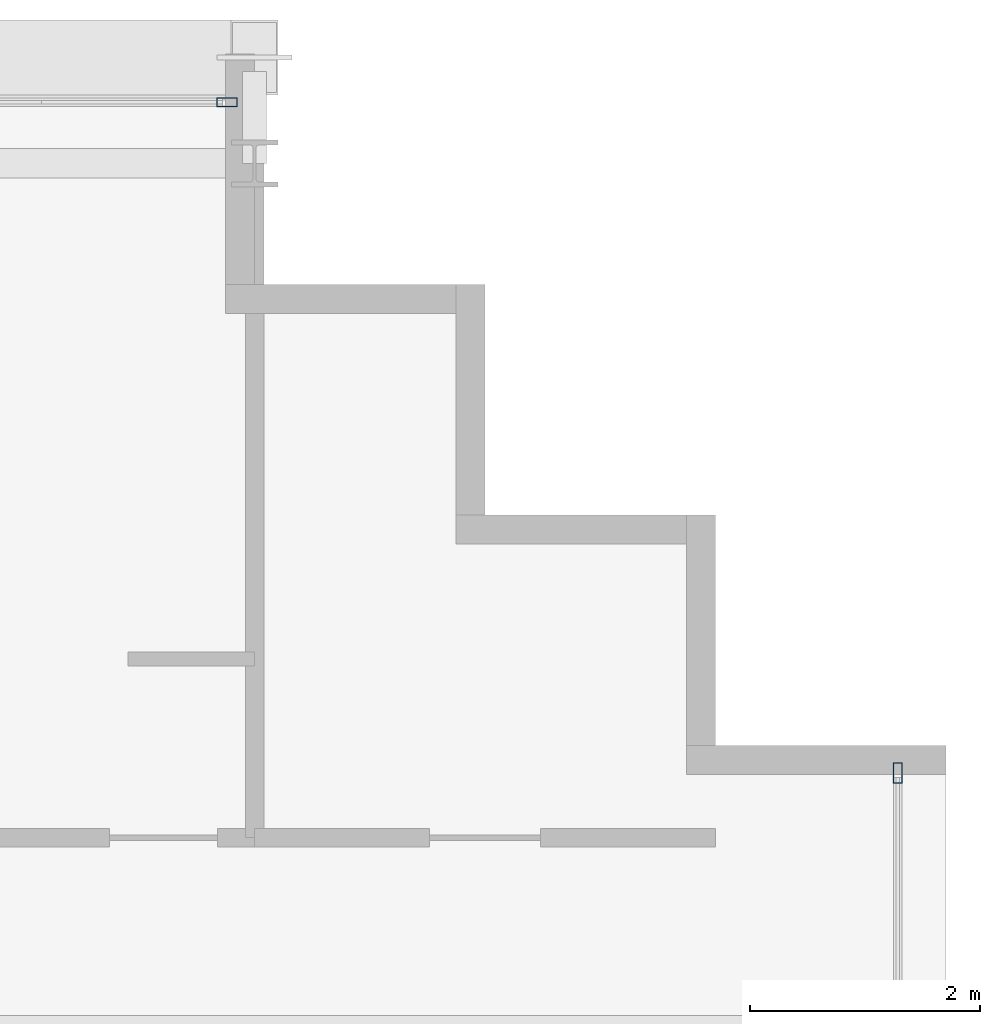
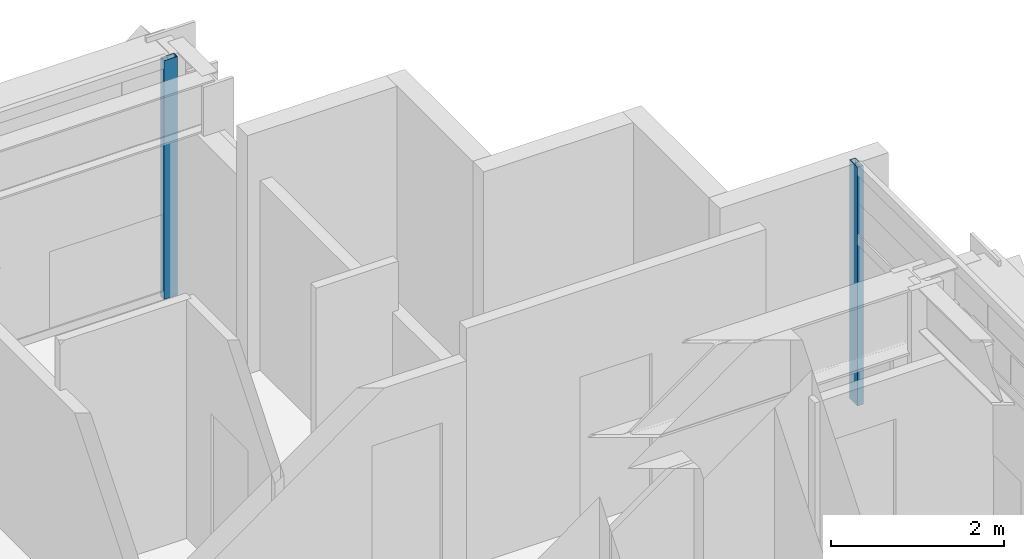
# One storey, part 19 of 32: 2 members, 2 elements without a shape of their own.
"""IFC4 building model written with IfcOpenShell, lengths in metres."""

from ifc_helpers import new_model, si_unit, direction, frame, origin, origin_2d, place, context, subcontext, project, spatial, hollow_rectangle, extrude, source, transform, mapped, material, layer, layer_set, material_profile, profile_set, type_object, element, aggregate, save


model = new_model("IFC4")

# Units and contexts
model_context = context("Model", 3, precision=1e-05, world=origin(), true_north=direction((0.0, 1.0)))
body_context = subcontext(model_context, "Body", "Model", "MODEL_VIEW")
ifc_project = project(units=[si_unit("LENGTHUNIT", "METRE"), si_unit("AREAUNIT", "SQUARE_METRE"), si_unit("VOLUMEUNIT", "CUBIC_METRE"), si_unit("PLANEANGLEUNIT", "RADIAN"), si_unit("MASSUNIT", "GRAM", prefix="KILO")], contexts=[model_context])

# Site, building, storey
site_placement = place(None, origin())
site = spatial("IfcSite", under=ifc_project, at=site_placement, CompositionType="ELEMENT")
building_placement = place(site_placement, origin())
building = spatial("IfcBuilding", under=site, at=building_placement, Name="Ocotamira Hotel", CompositionType="ELEMENT")
storey_placement = place(building_placement, frame((0.0, 0.0, 184.800048828125)))
storey = spatial("IfcBuildingStorey", under=building, at=storey_placement, Name="L46", CompositionType="ELEMENT", Elevation=184.800048828125)

# Curtain wall, member
ifc_material_1 = material(Name="Anodised pale-metal aluminium and solar glass", Category="aluminium")
ifc_layer = layer(ifc_material_1, 0.199951171875)
ifc_layer_set = layer_set([ifc_layer], Name="Anodised pale-metal aluminium and solar glass")
curtain_wall_type = type_object("IfcCurtainWallType", Name="CW-SYS4-Z3", PredefinedType="NOTDEFINED", material=ifc_layer_set)
curtain_wall_1_placement = place(storey_placement, origin())
curtain_wall_1 = element("IfcCurtainWall", 1, at=curtain_wall_1_placement, inside=storey, type_object=curtain_wall_type, Name="L46 Curtain Wall CW-4 CW-L46-N", PredefinedType="NOTDEFINED")
ifc_material_2 = material(Name="Anodised pale-metal aluminium 6063-T6", Category="aluminium")
ifc_material_profile = material_profile(ifc_material_2, hollow_rectangle(XDim=0.080078125, YDim=0.179931640625, WallThickness=0.006103515625, at=origin_2d()), Name="HSS180X80X6")
ifc_profile_set = profile_set([ifc_material_profile], Name="Anodised pale-metal aluminium 6063-T6")
member_type = type_object("IfcMemberType", Name="CWM-180X75", PredefinedType="MULLION", material=ifc_profile_set)
shared_shape = source(origin(), body_context, "Body", "SweptSolid", [
    extrude(hollow_rectangle(XDim=0.080078125, YDim=0.179931640625, WallThickness=0.006103515625, at=origin_2d()), origin(), (0.0, 0.0, 1.0), 3.369873046875),
])
member_1_placement = place(storey_placement, frame((49.760009765625, 45.580078125, 0.0), z_axis=(0.0, 0.0, 1.0), x_axis=(0.0, 1.0, 0.0)))
member_1 = element("IfcMember", 2, at=member_1_placement, type_object=member_type, Name="CW-4 mullion 10", PredefinedType="MULLION", context=body_context, shape_type="MappedRepresentation", body=[
    mapped(shared_shape, transform((0.0, 0.0, 0.0), scale=1.0)),
])
aggregate(curtain_wall_1, [member_1])

curtain_wall_2_placement = place(storey_placement, origin())
curtain_wall_2 = element("IfcCurtainWall", 3, at=curtain_wall_2_placement, inside=storey, type_object=curtain_wall_type, Name="L46 Curtain Wall CW-4 CW-L46-E", PredefinedType="NOTDEFINED")
member_2_placement = place(storey_placement, frame((55.580078125, 39.760009765625, 0.0), z_axis=(0.0, 0.0, 1.0), x_axis=(-1.0, 0.0, 0.0)))
member_2 = element("IfcMember", 4, at=member_2_placement, type_object=member_type, Name="CW-4 mullion 6", PredefinedType="MULLION", context=body_context, shape_type="MappedRepresentation", body=[
    mapped(shared_shape, transform((0.0, 0.0, 0.0), scale=1.0)),
])
aggregate(curtain_wall_2, [member_2])

save(model, "model.ifc")
